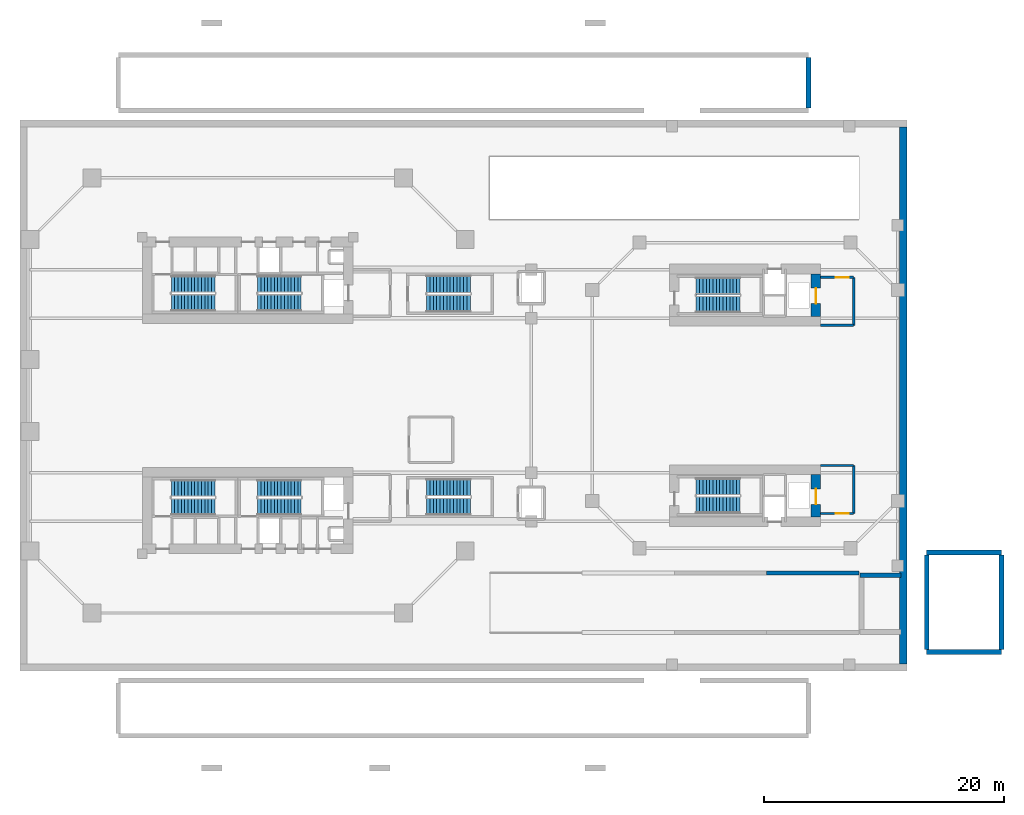
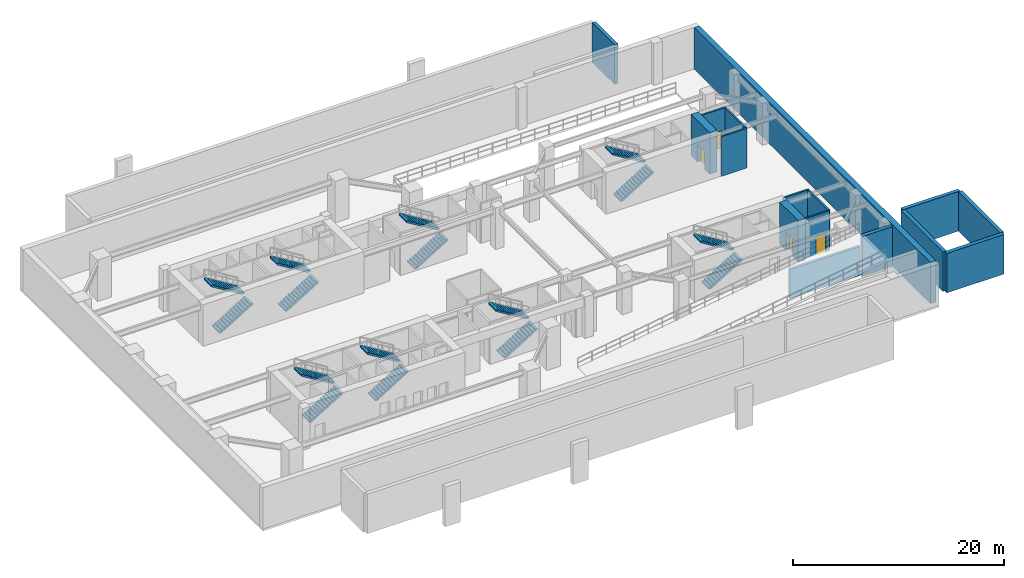
# One storey, part 6 of 10: 16 stair flights, 16 walls, 4 doors, 4 openings, 8 elements without a shape of their own.
"""IFC4 building model written with IfcOpenShell, lengths in metres."""

from ifc_helpers import new_model, si_unit, direction, frame, frame_2d, origin, place, context, subcontext, project, spatial, polyline, rectangle, outline, extrude, source, transform, mapped, material, layer, layer_set, type_object, element, fill, aggregate, save


model = new_model("IFC4")

# Units and contexts
model_context = context("Model", 3, precision=1e-05, world=origin(), true_north=direction((0.0, 1.0)))
body_context = subcontext(model_context, "Body", "Model", "MODEL_VIEW")
ifc_project = project(units=[si_unit("LENGTHUNIT", "METRE"), si_unit("AREAUNIT", "SQUARE_METRE"), si_unit("VOLUMEUNIT", "CUBIC_METRE"), si_unit("PLANEANGLEUNIT", "RADIAN"), si_unit("MASSUNIT", "GRAM", prefix="KILO"), si_unit("THERMODYNAMICTEMPERATUREUNIT", "KELVIN"), si_unit("POWERUNIT", "WATT")], contexts=[model_context])

# Site, building, storey
site_placement = place(None, origin())
site = spatial("IfcSite", under=ifc_project, at=site_placement, CompositionType="ELEMENT")
building_placement = place(site_placement, origin())
building = spatial("IfcBuilding", under=site, at=building_placement, Name="Qiaomeng Ring Towers", CompositionType="ELEMENT")
storey_placement = place(building_placement, frame((0.0, 0.0, -4.800048828125)))
storey = spatial("IfcBuildingStorey", under=building, at=storey_placement, Name="B1", CompositionType="ELEMENT", Elevation=-4.800048828125)

# Walls
ifc_material_1 = material(Name="Autoclaved aerated concrete block", Category="concrete")
ifc_layer_1 = layer(ifc_material_1, 0.199951171875, Name="Autoclaved aerated concrete block")
ifc_layer_set_1 = layer_set([ifc_layer_1], Name="Autoclaved aerated concrete block")
wall_type_1 = type_object("IfcWallType", Name="ARC-WL-PW1", PredefinedType="PARTITIONING", material=ifc_layer_set_1)
wall_1_placement = place(storey_placement, frame((66.800048828125, 28.85009765625, 0.0), z_axis=(0.0, 0.0, 1.0), x_axis=(1.0, 0.0, 0.0)))
element("IfcWall", 1, at=wall_1_placement, inside=storey, type_object=wall_type_1, Name="B1 Interior Wall PW1", PredefinedType="PARTITIONING", context=body_context, shape_type="SweptSolid", body=[
    extrude(rectangle(XDim=2.75, YDim=0.199951171875, at=frame_2d((1.375, 0.0))), origin(), (0.0, 0.0, 1.0), 4.580078125),
])
wall_2_placement = place(storey_placement, frame((69.550048828125, 28.85009765625, 0.0), z_axis=(0.0, 0.0, 1.0), x_axis=(0.0, 1.0, 0.0)))
element("IfcWall", 2, at=wall_2_placement, inside=storey, type_object=wall_type_1, Name="B1 Interior Wall PW1", PredefinedType="PARTITIONING", context=body_context, shape_type="SweptSolid", body=[
    extrude(rectangle(XDim=4.0, YDim=0.199951171875, at=frame_2d((2.0, 0.0))), origin(), (0.0, 0.0, 1.0), 4.580078125),
])

# Wall, opening, door
wall_3_placement = place(storey_placement, frame((66.800048828125, 32.85009765625, 0.0), z_axis=(0.0, 0.0, 1.0), x_axis=(1.0, 0.0, 0.0)))
wall_3 = element("IfcWall", 3, at=wall_3_placement, inside=storey, type_object=wall_type_1, Name="B1 Interior Wall PW1", PredefinedType="PARTITIONING", context=body_context, shape_type="SweptSolid", body=[
    extrude(rectangle(XDim=2.75, YDim=0.199951171875, at=frame_2d((1.375, 0.0))), origin(), (0.0, 0.0, 1.0), 4.580078125),
])
opening_1_placement = place(wall_3_placement, frame((1.25, 0.0, 0.0)))
opening_1 = element("IfcOpeningElement", 4, at=opening_1_placement, cuts=wall_3, Name="Opening FD3", PredefinedType="OPENING", context=body_context, shape_type="SweptSolid", body=[
    extrude(rectangle(XDim=1.10009765625, YDim=2.050048828125, at=frame_2d((0.550048828125, 1.02490234375))), frame((0.0, 0.10986328125, 0.0), z_axis=(0.0, -1.0, 0.0), x_axis=(1.0, 0.0, 0.0)), (0.0, 0.0, 1.0), 0.219970703125),
])
ifc_material_2 = material(Name="Galvanised steel", Category="steel")
door_type_1 = type_object("IfcDoorType", Name="ARC-DR-FD3", OperationType="NOTDEFINED", PredefinedType="DOOR", material=ifc_material_2)
shared_shape_1 = source(origin(), body_context, "Body", "SweptSolid", [
    extrude(rectangle(XDim=1.10009765625, YDim=2.050048828125, at=frame_2d((0.550048828125, 1.02490234375))), frame((0.0, 0.02490234375, 0.0), z_axis=(0.0, -1.0, 0.0), x_axis=(1.0, 0.0, 0.0)), (0.0, 0.0, 1.0), 0.050048828125),
])
door_1_placement = place(opening_1_placement, origin())
door_1 = element("IfcDoor", 5, at=door_1_placement, inside=storey, type_object=door_type_1, Name="B1 Door FD3", OperationType="SINGLE_SWING_RIGHT", OverallHeight=2.050048828125, OverallWidth=1.10009765625, PredefinedType="DOOR", context=body_context, shape_type="MappedRepresentation", body=[
    mapped(shared_shape_1, transform((0.0, 0.0, 0.0), x_axis=(1.0, 0.0, 0.0), y_axis=(0.0, 1.0, 0.0), z_axis=(0.0, 0.0, 1.0), scale=1.0)),
])
fill(opening_1, door_1)

# Walls
wall_4_placement = place(storey_placement, frame((66.800048828125, 17.14990234375, 0.0), z_axis=(0.0, 0.0, 1.0), x_axis=(1.0, 0.0, 0.0)))
element("IfcWall", 6, at=wall_4_placement, inside=storey, type_object=wall_type_1, Name="B1 Interior Wall PW1", PredefinedType="PARTITIONING", context=body_context, shape_type="SweptSolid", body=[
    extrude(rectangle(XDim=2.75, YDim=0.199951171875, at=frame_2d((1.375, 0.0))), origin(), (0.0, 0.0, 1.0), 4.580078125),
])
wall_5_placement = place(storey_placement, frame((69.550048828125, 13.14990234375, 0.0), z_axis=(0.0, 0.0, 1.0), x_axis=(0.0, 1.0, 0.0)))
element("IfcWall", 7, at=wall_5_placement, inside=storey, type_object=wall_type_1, Name="B1 Interior Wall PW1", PredefinedType="PARTITIONING", context=body_context, shape_type="SweptSolid", body=[
    extrude(rectangle(XDim=4.0, YDim=0.199951171875, at=frame_2d((2.0, 0.0))), origin(), (0.0, 0.0, 1.0), 4.580078125),
])

# Wall, opening, door
wall_6_placement = place(storey_placement, frame((66.800048828125, 13.14990234375, 0.0), z_axis=(0.0, 0.0, 1.0), x_axis=(1.0, 0.0, 0.0)))
wall_6 = element("IfcWall", 8, at=wall_6_placement, inside=storey, type_object=wall_type_1, Name="B1 Interior Wall PW1", PredefinedType="PARTITIONING", context=body_context, shape_type="SweptSolid", body=[
    extrude(rectangle(XDim=2.75, YDim=0.199951171875, at=frame_2d((1.375, 0.0))), origin(), (0.0, 0.0, 1.0), 4.580078125),
])
opening_2_placement = place(wall_6_placement, frame((1.25, 0.0, 0.0)))
opening_2 = element("IfcOpeningElement", 9, at=opening_2_placement, cuts=wall_6, Name="Opening FD3", PredefinedType="OPENING", context=body_context, shape_type="SweptSolid", body=[
    extrude(rectangle(XDim=1.10009765625, YDim=2.050048828125, at=frame_2d((0.550048828125, 1.02490234375))), frame((0.0, 0.10986328125, 0.0), z_axis=(0.0, -1.0, 0.0), x_axis=(1.0, 0.0, 0.0)), (0.0, 0.0, 1.0), 0.219970703125),
])
door_2_placement = place(opening_2_placement, origin())
door_2 = element("IfcDoor", 10, at=door_2_placement, inside=storey, type_object=door_type_1, Name="B1 Door FD3", OperationType="SINGLE_SWING_RIGHT", OverallHeight=2.050048828125, OverallWidth=1.10009765625, PredefinedType="DOOR", context=body_context, shape_type="MappedRepresentation", body=[
    mapped(shared_shape_1, transform((0.0, 0.0, 0.0), x_axis=(1.0, 0.0, 0.0), y_axis=(0.0, 1.0, 0.0), z_axis=(0.0, 0.0, 1.0), scale=1.0)),
])
fill(opening_2, door_2)

# Walls
ifc_material_3 = material(Name="Concrete C40", Category="concrete")
ifc_layer_2 = layer(ifc_material_3, 0.60009765625, Name="Concrete C40")
ifc_layer_set_2 = layer_set([ifc_layer_2], Name="Concrete C40")
wall_type_2 = type_object("IfcWallType", Name="STR-WL-BW1", PredefinedType="SOLIDWALL", material=ifc_layer_set_2)
wall_7_placement = place(storey_placement, frame((73.699951171875, 0.60009765625, 0.0), z_axis=(0.0, 0.0, 1.0), x_axis=(0.0, 1.0, 0.0)))
element("IfcWall", 11, at=wall_7_placement, inside=storey, type_object=wall_type_2, Name="B1 RET east core shear wall", PredefinedType="SOLIDWALL", context=body_context, shape_type="SweptSolid", body=[
    extrude(rectangle(XDim=44.7998046875, YDim=0.60009765625, at=frame_2d((22.39990234375, 0.0))), origin(), (0.0, 0.0, 1.0), 4.800048828125),
])
ifc_layer_3 = layer(ifc_material_3, 0.39990234375, Name="Concrete C40")
ifc_layer_set_3 = layer_set([ifc_layer_3], Name="Concrete C40")
wall_type_3 = type_object("IfcWallType", Name="STR-WL-BW2", PredefinedType="SOLIDWALL", material=ifc_layer_set_3)
wall_8_placement = place(storey_placement, frame((65.800048828125, 46.97998046875, 0.0), z_axis=(0.0, 0.0, 1.0), x_axis=(0.0, 1.0, 0.0)))
element("IfcWall", 12, at=wall_8_placement, inside=storey, type_object=wall_type_3, Name="B1 Apron Retaining Plinth Wall PLZ-N-E", PredefinedType="SOLIDWALL", context=body_context, shape_type="SweptSolid", body=[
    extrude(rectangle(XDim=4.219970703125, YDim=0.39990234375, at=frame_2d((2.10986328125, 0.0))), origin(), (0.0, 0.0, 1.0), 4.580078125),
])
for number, where, z_axis, x_axis, name in (
    (13, (75.64990234375, 1.60009765625, 0.0), (0.0, 0.0, 1.0), (1.0, 0.0, 0.0), "B1 Apron Retaining Plinth Wall DRV-E-S"),
    (14, (75.64990234375, 9.89990234375, 0.0), (0.0, 0.0, 1.0), (1.0, 0.0, 0.0), "B1 Apron Retaining Plinth Wall DRV-E-N"),
):
    element("IfcWall", number, at=place(storey_placement, frame(where, z_axis=z_axis, x_axis=x_axis)), inside=storey, type_object=wall_type_3, Name=name, PredefinedType="SOLIDWALL", context=body_context, shape_type="SweptSolid", body=[
        extrude(rectangle(XDim=6.25, YDim=0.39990234375, at=frame_2d((3.125, 0.0))), origin(), (0.0, 0.0, 1.0), 4.580078125),
    ])
for number, where, z_axis, x_axis, name in (
    (15, (75.64990234375, 1.800048828125, 0.0), (0.0, 0.0, 1.0), (0.0, 1.0, 0.0), "B1 Apron Retaining Plinth Wall DRV-E-W"),
    (16, (81.89990234375, 1.800048828125, 0.0), (0.0, 0.0, 1.0), (0.0, 1.0, 0.0), "B1 Apron Retaining Plinth Wall DRV-E-E"),
):
    element("IfcWall", number, at=place(storey_placement, frame(where, z_axis=z_axis, x_axis=x_axis)), inside=storey, type_object=wall_type_3, Name=name, PredefinedType="SOLIDWALL", context=body_context, shape_type="SweptSolid", body=[
        extrude(rectangle(XDim=7.89990234375, YDim=0.39990234375, at=frame_2d((3.949951171875, 0.0))), origin(), (0.0, 0.0, 1.0), 4.580078125),
    ])
wall_9_placement = place(storey_placement, frame((70.10009765625, 8.0, 0.0), z_axis=(0.0, 0.0, 1.0), x_axis=(1.0, 0.0, 0.0)))
element("IfcWall", 17, at=wall_9_placement, inside=storey, type_object=wall_type_3, Name="B1 Ramp R1 Landing Support Wall N", PredefinedType="SOLIDWALL", context=body_context, shape_type="SweptSolid", body=[
    extrude(rectangle(XDim=3.39990234375, YDim=0.39990234375, at=frame_2d((1.699951171875, 0.0))), origin(), (0.0, 0.0, 1.0), 4.580078125),
])
wall_10_placement = place(storey_placement, frame((62.300048828125, 8.179931640625, 0.0), z_axis=(0.0, 0.0, 1.0), x_axis=(1.0, 0.0, 0.0)))
element("IfcWall", 18, at=wall_10_placement, inside=storey, type_object=wall_type_3, Name="B1 Vehicle Ramp R1 Stepped Support Wall N4", PredefinedType="SOLIDWALL", context=body_context, shape_type="SweptSolid", body=[
    extrude(rectangle(XDim=7.699951171875, YDim=0.300048828125, at=frame_2d((3.85009765625, 0.0))), origin(), (0.0, 0.0, 1.0), 3.340087890625),
])

# Wall, opening, door
ifc_material_4 = material(Name="Concrete C60", Category="concrete")
ifc_layer_4 = layer(ifc_material_4, 0.800048828125, Name="Concrete C60")
ifc_layer_set_4 = layer_set([ifc_layer_4], Name="Concrete C60")
wall_type_4 = type_object("IfcWallType", Name="STR-WL-SW1", PredefinedType="SHEAR", material=ifc_layer_set_4)
wall_11_placement = place(storey_placement, frame((66.39990234375, 29.60009765625, 0.0), z_axis=(0.0, 0.0, 1.0), x_axis=(0.0, 1.0, 0.0)))
wall_11 = element("IfcWall", 19, at=wall_11_placement, inside=storey, type_object=wall_type_4, Name="B1 T2NC east core shear wall", PredefinedType="SHEAR", context=body_context, shape_type="SweptSolid", body=[
    extrude(rectangle(XDim=3.5498046875, YDim=0.800048828125, at=frame_2d((1.77490234375, 0.0))), origin(), (0.0, 0.0, 1.0), 4.800048828125),
])
opening_3_placement = place(wall_11_placement, frame((1.050048828125, 0.0, 0.0)))
opening_3 = element("IfcOpeningElement", 20, at=opening_3_placement, cuts=wall_11, Name="Opening LD2", PredefinedType="OPENING", context=body_context, shape_type="SweptSolid", body=[
    extrude(rectangle(XDim=1.300048828125, YDim=2.050048828125, at=frame_2d((0.64990234375, 1.02490234375))), frame((0.0, 0.409912109375, 0.0), z_axis=(0.0, -1.0, 0.0), x_axis=(1.0, 0.0, 0.0)), (0.0, 0.0, 1.0), 0.820068359375),
])
ifc_material_5 = material(Name="Stainless steel 316", Category="steel")
door_type_2 = type_object("IfcDoorType", Name="ARC-DR-LD2", OperationType="NOTDEFINED", PredefinedType="DOOR", material=ifc_material_5)
shared_shape_2 = source(origin(), body_context, "Body", "SweptSolid", [
    extrude(rectangle(XDim=1.300048828125, YDim=2.050048828125, at=frame_2d((0.64990234375, 1.02490234375))), frame((0.0, 0.02490234375, 0.0), z_axis=(0.0, -1.0, 0.0), x_axis=(1.0, 0.0, 0.0)), (0.0, 0.0, 1.0), 0.050048828125),
])
door_3_placement = place(opening_3_placement, origin())
door_3 = element("IfcDoor", 21, at=door_3_placement, inside=storey, type_object=door_type_2, Name="B1 Firefighting Lift FL3 Landing Door", OperationType="SLIDING_TO_LEFT", OverallHeight=2.050048828125, OverallWidth=1.300048828125, PredefinedType="DOOR", context=body_context, shape_type="MappedRepresentation", body=[
    mapped(shared_shape_2, transform((0.0, 0.0, 0.0), x_axis=(1.0, 0.0, 0.0), y_axis=(0.0, 1.0, 0.0), z_axis=(0.0, 0.0, 1.0), scale=1.0)),
])
fill(opening_3, door_3)

wall_12_placement = place(storey_placement, frame((66.39990234375, 12.85009765625, 0.0), z_axis=(0.0, 0.0, 1.0), x_axis=(0.0, 1.0, 0.0)))
wall_12 = element("IfcWall", 22, at=wall_12_placement, inside=storey, type_object=wall_type_4, Name="B1 T2SC east core shear wall", PredefinedType="SHEAR", context=body_context, shape_type="SweptSolid", body=[
    extrude(rectangle(XDim=3.5498046875, YDim=0.800048828125, at=frame_2d((1.77490234375, 0.0))), origin(), (0.0, 0.0, 1.0), 4.800048828125),
])
opening_4_placement = place(wall_12_placement, frame((1.050048828125, 0.0, 0.0)))
opening_4 = element("IfcOpeningElement", 23, at=opening_4_placement, cuts=wall_12, Name="Opening LD2", PredefinedType="OPENING", context=body_context, shape_type="SweptSolid", body=[
    extrude(rectangle(XDim=1.300048828125, YDim=2.050048828125, at=frame_2d((0.64990234375, 1.02490234375))), frame((0.0, 0.409912109375, 0.0), z_axis=(0.0, -1.0, 0.0), x_axis=(1.0, 0.0, 0.0)), (0.0, 0.0, 1.0), 0.820068359375),
])
door_4_placement = place(opening_4_placement, origin())
door_4 = element("IfcDoor", 24, at=door_4_placement, inside=storey, type_object=door_type_2, Name="B1 Firefighting Lift FL4 Landing Door", OperationType="SLIDING_TO_RIGHT", OverallHeight=2.050048828125, OverallWidth=1.300048828125, PredefinedType="DOOR", context=body_context, shape_type="MappedRepresentation", body=[
    mapped(shared_shape_2, transform((0.0, 0.0, 0.0), x_axis=(1.0, 0.0, 0.0), y_axis=(0.0, 1.0, 0.0), z_axis=(0.0, 0.0, 1.0), scale=1.0)),
])
fill(opening_4, door_4)

# Stair, stair flights
ifc_material_6 = material(Name="Precast concrete C40", Category="concrete")
stair_type_1 = type_object("IfcStairType", Name="ARC-ST-480", PredefinedType="HALF_TURN_STAIR", material=ifc_material_6)
stair_1_placement = place(storey_placement, origin())
stair_1 = element("IfcStair", 25, at=stair_1_placement, inside=storey, type_object=stair_type_1, Name="B1 Tower 1 North Stair 1", PredefinedType="HALF_TURN_STAIR")
stair_flight_type_1 = type_object("IfcStairFlightType", Name="ARC-ST-480-FL", PredefinedType="STRAIGHT", material=ifc_material_6)
shared_shape_3 = source(origin(), body_context, "Body", "SweptSolid", [
    extrude(outline(polyline([(0.0, 0.0), (0.0, 0.17138671875), (0.280029296875, 0.17138671875), (0.280029296875, 0.3427734375), (0.56005859375, 0.3427734375), (0.56005859375, 0.514404296875), (0.840087890625, 0.514404296875), (0.840087890625, 0.685791015625), (1.1201171875, 0.685791015625), (1.1201171875, 0.857177734375), (1.39990234375, 0.857177734375), (1.39990234375, 1.028564453125), (1.679931640625, 1.028564453125), (1.679931640625, 1.199951171875), (1.9599609375, 1.199951171875), (1.9599609375, 1.371337890625), (2.239990234375, 1.371337890625), (2.239990234375, 1.54296875), (2.52001953125, 1.54296875), (2.52001953125, 1.71435546875), (2.800048828125, 1.71435546875), (2.800048828125, 1.8857421875), (3.080078125, 1.8857421875), (3.080078125, 2.05712890625), (3.360107421875, 2.05712890625), (3.360107421875, 2.228515625), (3.639892578125, 2.228515625), (3.639892578125, 2.39990234375), (3.639892578125, 2.052734375), (0.287109375, 0.0), (0.0, 0.0)])), frame((0.0, 0.699951171875, 0.0), z_axis=(0.0, -1.0, 0.0), x_axis=(1.0, 0.0, 0.0)), (0.0, 0.0, 1.0), 1.39990234375),
])
stair_flight_1_placement = place(storey_placement, frame((12.6201171875, 30.75, 0.0), z_axis=(0.0, 0.0, 1.0), x_axis=(1.0, 0.0, 0.0)))
stair_flight_1 = element("IfcStairFlight", 26, at=stair_flight_1_placement, type_object=stair_flight_type_1, Name="ST1 flight 1", NumberOfRisers=14, NumberOfTreads=13, PredefinedType="STRAIGHT", RiserHeight=0.171428571, TreadLength=0.28, context=body_context, shape_type="MappedRepresentation", body=[
    mapped(shared_shape_3, transform((0.0, 0.0, 0.0), x_axis=(1.0, 0.0, 0.0), y_axis=(0.0, 1.0, 0.0), z_axis=(0.0, 0.0, 1.0), scale=1.0)),
])
stair_flight_2_placement = place(storey_placement, frame((16.260009765625, 32.2900390625, 2.400146484375), z_axis=(0.0, 0.0, 1.0), x_axis=(-1.0, 0.0, 0.0)))
stair_flight_2 = element("IfcStairFlight", 27, at=stair_flight_2_placement, type_object=stair_flight_type_1, Name="ST1 flight 2", NumberOfRisers=14, NumberOfTreads=13, PredefinedType="STRAIGHT", RiserHeight=0.171428571, TreadLength=0.28, context=body_context, shape_type="MappedRepresentation", body=[
    mapped(shared_shape_3, transform((0.0, 0.0, 0.0), x_axis=(1.0, 0.0, 0.0), y_axis=(0.0, 1.0, 0.0), z_axis=(0.0, 0.0, 1.0), scale=1.0)),
])
aggregate(stair_1, [stair_flight_1, stair_flight_2])

stair_2_placement = place(storey_placement, origin())
stair_2 = element("IfcStair", 28, at=stair_2_placement, inside=storey, type_object=stair_type_1, Name="B1 Tower 1 North Stair 2", PredefinedType="HALF_TURN_STAIR")
stair_flight_3_placement = place(storey_placement, frame((19.820068359375, 30.75, 0.0), z_axis=(0.0, 0.0, 1.0), x_axis=(1.0, 0.0, 0.0)))
stair_flight_3 = element("IfcStairFlight", 29, at=stair_flight_3_placement, type_object=stair_flight_type_1, Name="ST2 flight 1", NumberOfRisers=14, NumberOfTreads=13, PredefinedType="STRAIGHT", RiserHeight=0.171428571, TreadLength=0.28, context=body_context, shape_type="MappedRepresentation", body=[
    mapped(shared_shape_3, transform((0.0, 0.0, 0.0), x_axis=(1.0, 0.0, 0.0), y_axis=(0.0, 1.0, 0.0), z_axis=(0.0, 0.0, 1.0), scale=1.0)),
])
stair_flight_4_placement = place(storey_placement, frame((23.4599609375, 32.2900390625, 2.400146484375), z_axis=(0.0, 0.0, 1.0), x_axis=(-1.0, 0.0, 0.0)))
stair_flight_4 = element("IfcStairFlight", 30, at=stair_flight_4_placement, type_object=stair_flight_type_1, Name="ST2 flight 2", NumberOfRisers=14, NumberOfTreads=13, PredefinedType="STRAIGHT", RiserHeight=0.171428571, TreadLength=0.28, context=body_context, shape_type="MappedRepresentation", body=[
    mapped(shared_shape_3, transform((0.0, 0.0, 0.0), x_axis=(1.0, 0.0, 0.0), y_axis=(0.0, 1.0, 0.0), z_axis=(0.0, 0.0, 1.0), scale=1.0)),
])
aggregate(stair_2, [stair_flight_3, stair_flight_4])

stair_3_placement = place(storey_placement, origin())
stair_3 = element("IfcStair", 31, at=stair_3_placement, inside=storey, type_object=stair_type_1, Name="B1 Tower 1 South Stair 3", PredefinedType="HALF_TURN_STAIR")
stair_flight_5_placement = place(storey_placement, frame((12.6201171875, 13.7099609375, 0.0), z_axis=(0.0, 0.0, 1.0), x_axis=(1.0, 0.0, 0.0)))
stair_flight_5 = element("IfcStairFlight", 32, at=stair_flight_5_placement, type_object=stair_flight_type_1, Name="ST3 flight 1", NumberOfRisers=14, NumberOfTreads=13, PredefinedType="STRAIGHT", RiserHeight=0.171428571, TreadLength=0.28, context=body_context, shape_type="MappedRepresentation", body=[
    mapped(shared_shape_3, transform((0.0, 0.0, 0.0), x_axis=(1.0, 0.0, 0.0), y_axis=(0.0, 1.0, 0.0), z_axis=(0.0, 0.0, 1.0), scale=1.0)),
])
stair_flight_6_placement = place(storey_placement, frame((16.260009765625, 15.25, 2.400146484375), z_axis=(0.0, 0.0, 1.0), x_axis=(-1.0, 0.0, 0.0)))
stair_flight_6 = element("IfcStairFlight", 33, at=stair_flight_6_placement, type_object=stair_flight_type_1, Name="ST3 flight 2", NumberOfRisers=14, NumberOfTreads=13, PredefinedType="STRAIGHT", RiserHeight=0.171428571, TreadLength=0.28, context=body_context, shape_type="MappedRepresentation", body=[
    mapped(shared_shape_3, transform((0.0, 0.0, 0.0), x_axis=(1.0, 0.0, 0.0), y_axis=(0.0, 1.0, 0.0), z_axis=(0.0, 0.0, 1.0), scale=1.0)),
])
aggregate(stair_3, [stair_flight_5, stair_flight_6])

stair_4_placement = place(storey_placement, origin())
stair_4 = element("IfcStair", 34, at=stair_4_placement, inside=storey, type_object=stair_type_1, Name="B1 Tower 1 South Stair 4", PredefinedType="HALF_TURN_STAIR")
stair_flight_7_placement = place(storey_placement, frame((19.820068359375, 13.7099609375, 0.0), z_axis=(0.0, 0.0, 1.0), x_axis=(1.0, 0.0, 0.0)))
stair_flight_7 = element("IfcStairFlight", 35, at=stair_flight_7_placement, type_object=stair_flight_type_1, Name="ST4 flight 1", NumberOfRisers=14, NumberOfTreads=13, PredefinedType="STRAIGHT", RiserHeight=0.171428571, TreadLength=0.28, context=body_context, shape_type="MappedRepresentation", body=[
    mapped(shared_shape_3, transform((0.0, 0.0, 0.0), x_axis=(1.0, 0.0, 0.0), y_axis=(0.0, 1.0, 0.0), z_axis=(0.0, 0.0, 1.0), scale=1.0)),
])
stair_flight_8_placement = place(storey_placement, frame((23.4599609375, 15.25, 2.400146484375), z_axis=(0.0, 0.0, 1.0), x_axis=(-1.0, 0.0, 0.0)))
stair_flight_8 = element("IfcStairFlight", 36, at=stair_flight_8_placement, type_object=stair_flight_type_1, Name="ST4 flight 2", NumberOfRisers=14, NumberOfTreads=13, PredefinedType="STRAIGHT", RiserHeight=0.171428571, TreadLength=0.28, context=body_context, shape_type="MappedRepresentation", body=[
    mapped(shared_shape_3, transform((0.0, 0.0, 0.0), x_axis=(1.0, 0.0, 0.0), y_axis=(0.0, 1.0, 0.0), z_axis=(0.0, 0.0, 1.0), scale=1.0)),
])
aggregate(stair_4, [stair_flight_7, stair_flight_8])

stair_5_placement = place(storey_placement, origin())
stair_5 = element("IfcStair", 37, at=stair_5_placement, inside=storey, type_object=stair_type_1, Name="B1 Companion North Stair 5", PredefinedType="HALF_TURN_STAIR")
stair_flight_9_placement = place(storey_placement, frame((56.419921875, 30.60009765625, 0.0), z_axis=(0.0, 0.0, 1.0), x_axis=(1.0, 0.0, 0.0)))
stair_flight_9 = element("IfcStairFlight", 38, at=stair_flight_9_placement, type_object=stair_flight_type_1, Name="ST5 flight 1", NumberOfRisers=14, NumberOfTreads=13, PredefinedType="STRAIGHT", RiserHeight=0.171428571, TreadLength=0.28, context=body_context, shape_type="MappedRepresentation", body=[
    mapped(shared_shape_3, transform((0.0, 0.0, 0.0), x_axis=(1.0, 0.0, 0.0), y_axis=(0.0, 1.0, 0.0), z_axis=(0.0, 0.0, 1.0), scale=1.0)),
])
stair_flight_10_placement = place(storey_placement, frame((60.06005859375, 32.139892578125, 2.400146484375), z_axis=(0.0, 0.0, 1.0), x_axis=(-1.0, 0.0, 0.0)))
stair_flight_10 = element("IfcStairFlight", 39, at=stair_flight_10_placement, type_object=stair_flight_type_1, Name="ST5 flight 2", NumberOfRisers=14, NumberOfTreads=13, PredefinedType="STRAIGHT", RiserHeight=0.171428571, TreadLength=0.28, context=body_context, shape_type="MappedRepresentation", body=[
    mapped(shared_shape_3, transform((0.0, 0.0, 0.0), x_axis=(1.0, 0.0, 0.0), y_axis=(0.0, 1.0, 0.0), z_axis=(0.0, 0.0, 1.0), scale=1.0)),
])
aggregate(stair_5, [stair_flight_9, stair_flight_10])

stair_6_placement = place(storey_placement, origin())
stair_6 = element("IfcStair", 40, at=stair_6_placement, inside=storey, type_object=stair_type_1, Name="B1 Companion South Stair 6", PredefinedType="HALF_TURN_STAIR")
stair_flight_11_placement = place(storey_placement, frame((56.419921875, 13.860107421875, 0.0), z_axis=(0.0, 0.0, 1.0), x_axis=(1.0, 0.0, 0.0)))
stair_flight_11 = element("IfcStairFlight", 41, at=stair_flight_11_placement, type_object=stair_flight_type_1, Name="ST6 flight 1", NumberOfRisers=14, NumberOfTreads=13, PredefinedType="STRAIGHT", RiserHeight=0.171428571, TreadLength=0.28, context=body_context, shape_type="MappedRepresentation", body=[
    mapped(shared_shape_3, transform((0.0, 0.0, 0.0), x_axis=(1.0, 0.0, 0.0), y_axis=(0.0, 1.0, 0.0), z_axis=(0.0, 0.0, 1.0), scale=1.0)),
])
stair_flight_12_placement = place(storey_placement, frame((60.06005859375, 15.39990234375, 2.400146484375), z_axis=(0.0, 0.0, 1.0), x_axis=(-1.0, 0.0, 0.0)))
stair_flight_12 = element("IfcStairFlight", 42, at=stair_flight_12_placement, type_object=stair_flight_type_1, Name="ST6 flight 2", NumberOfRisers=14, NumberOfTreads=13, PredefinedType="STRAIGHT", RiserHeight=0.171428571, TreadLength=0.28, context=body_context, shape_type="MappedRepresentation", body=[
    mapped(shared_shape_3, transform((0.0, 0.0, 0.0), x_axis=(1.0, 0.0, 0.0), y_axis=(0.0, 1.0, 0.0), z_axis=(0.0, 0.0, 1.0), scale=1.0)),
])
aggregate(stair_6, [stair_flight_11, stair_flight_12])

stair_type_2 = type_object("IfcStairType", Name="ARC-ST-POD", PredefinedType="HALF_TURN_STAIR", material=ifc_material_6)
stair_7_placement = place(storey_placement, origin())
stair_7 = element("IfcStair", 43, at=stair_7_placement, inside=storey, type_object=stair_type_2, Name="B1 Podium Clinic North Stair 7", PredefinedType="HALF_TURN_STAIR")
stair_flight_type_2 = type_object("IfcStairFlightType", Name="ARC-ST-POD-FL", PredefinedType="STRAIGHT", material=ifc_material_6)
shared_shape_4 = source(origin(), body_context, "Body", "SweptSolid", [
    extrude(outline(polyline([(0.0, 0.0), (0.0, 0.17138671875), (0.280029296875, 0.17138671875), (0.280029296875, 0.3427734375), (0.56005859375, 0.3427734375), (0.56005859375, 0.514404296875), (0.840087890625, 0.514404296875), (0.840087890625, 0.685791015625), (1.1201171875, 0.685791015625), (1.1201171875, 0.857177734375), (1.39990234375, 0.857177734375), (1.39990234375, 1.028564453125), (1.679931640625, 1.028564453125), (1.679931640625, 1.199951171875), (1.9599609375, 1.199951171875), (1.9599609375, 1.371337890625), (2.239990234375, 1.371337890625), (2.239990234375, 1.54296875), (2.52001953125, 1.54296875), (2.52001953125, 1.71435546875), (2.800048828125, 1.71435546875), (2.800048828125, 1.8857421875), (3.080078125, 1.8857421875), (3.080078125, 2.05712890625), (3.360107421875, 2.05712890625), (3.360107421875, 2.228515625), (3.639892578125, 2.228515625), (3.639892578125, 2.39990234375), (3.639892578125, 2.052734375), (0.287109375, 0.0), (0.0, 0.0)])), frame((0.0, 0.72509765625, 0.0), z_axis=(0.0, -1.0, 0.0), x_axis=(1.0, 0.0, 0.0)), (0.0, 0.0, 1.0), 1.449951171875),
])
stair_flight_13_placement = place(storey_placement, frame((33.929931640625, 30.68505859375, 0.0), z_axis=(0.0, 0.0, 1.0), x_axis=(1.0, 0.0, 0.0)))
stair_flight_13 = element("IfcStairFlight", 44, at=stair_flight_13_placement, type_object=stair_flight_type_2, Name="ST7 flight 1", NumberOfRisers=14, NumberOfTreads=13, PredefinedType="STRAIGHT", RiserHeight=0.171428571, TreadLength=0.28, context=body_context, shape_type="MappedRepresentation", body=[
    mapped(shared_shape_4, transform((0.0, 0.0, 0.0), x_axis=(1.0, 0.0, 0.0), y_axis=(0.0, 1.0, 0.0), z_axis=(0.0, 0.0, 1.0), scale=1.0)),
])
stair_flight_14_placement = place(storey_placement, frame((37.570068359375, 32.27490234375, 2.400146484375), z_axis=(0.0, 0.0, 1.0), x_axis=(-1.0, 0.0, 0.0)))
stair_flight_14 = element("IfcStairFlight", 45, at=stair_flight_14_placement, type_object=stair_flight_type_2, Name="ST7 flight 2", NumberOfRisers=14, NumberOfTreads=13, PredefinedType="STRAIGHT", RiserHeight=0.171428571, TreadLength=0.28, context=body_context, shape_type="MappedRepresentation", body=[
    mapped(shared_shape_4, transform((0.0, 0.0, 0.0), x_axis=(1.0, 0.0, 0.0), y_axis=(0.0, 1.0, 0.0), z_axis=(0.0, 0.0, 1.0), scale=1.0)),
])
aggregate(stair_7, [stair_flight_13, stair_flight_14])

stair_8_placement = place(storey_placement, origin())
stair_8 = element("IfcStair", 46, at=stair_8_placement, inside=storey, type_object=stair_type_2, Name="B1 Podium Clinic South Stair 8", PredefinedType="HALF_TURN_STAIR")
stair_flight_15_placement = place(storey_placement, frame((33.929931640625, 13.72509765625, 0.0), z_axis=(0.0, 0.0, 1.0), x_axis=(1.0, 0.0, 0.0)))
stair_flight_15 = element("IfcStairFlight", 47, at=stair_flight_15_placement, type_object=stair_flight_type_2, Name="ST8 flight 1", NumberOfRisers=14, NumberOfTreads=13, PredefinedType="STRAIGHT", RiserHeight=0.171428571, TreadLength=0.28, context=body_context, shape_type="MappedRepresentation", body=[
    mapped(shared_shape_4, transform((0.0, 0.0, 0.0), x_axis=(1.0, 0.0, 0.0), y_axis=(0.0, 1.0, 0.0), z_axis=(0.0, 0.0, 1.0), scale=1.0)),
])
stair_flight_16_placement = place(storey_placement, frame((37.570068359375, 15.31494140625, 2.400146484375), z_axis=(0.0, 0.0, 1.0), x_axis=(-1.0, 0.0, 0.0)))
stair_flight_16 = element("IfcStairFlight", 48, at=stair_flight_16_placement, type_object=stair_flight_type_2, Name="ST8 flight 2", NumberOfRisers=14, NumberOfTreads=13, PredefinedType="STRAIGHT", RiserHeight=0.171428571, TreadLength=0.28, context=body_context, shape_type="MappedRepresentation", body=[
    mapped(shared_shape_4, transform((0.0, 0.0, 0.0), x_axis=(1.0, 0.0, 0.0), y_axis=(0.0, 1.0, 0.0), z_axis=(0.0, 0.0, 1.0), scale=1.0)),
])
aggregate(stair_8, [stair_flight_15, stair_flight_16])

save(model, "model.ifc")
